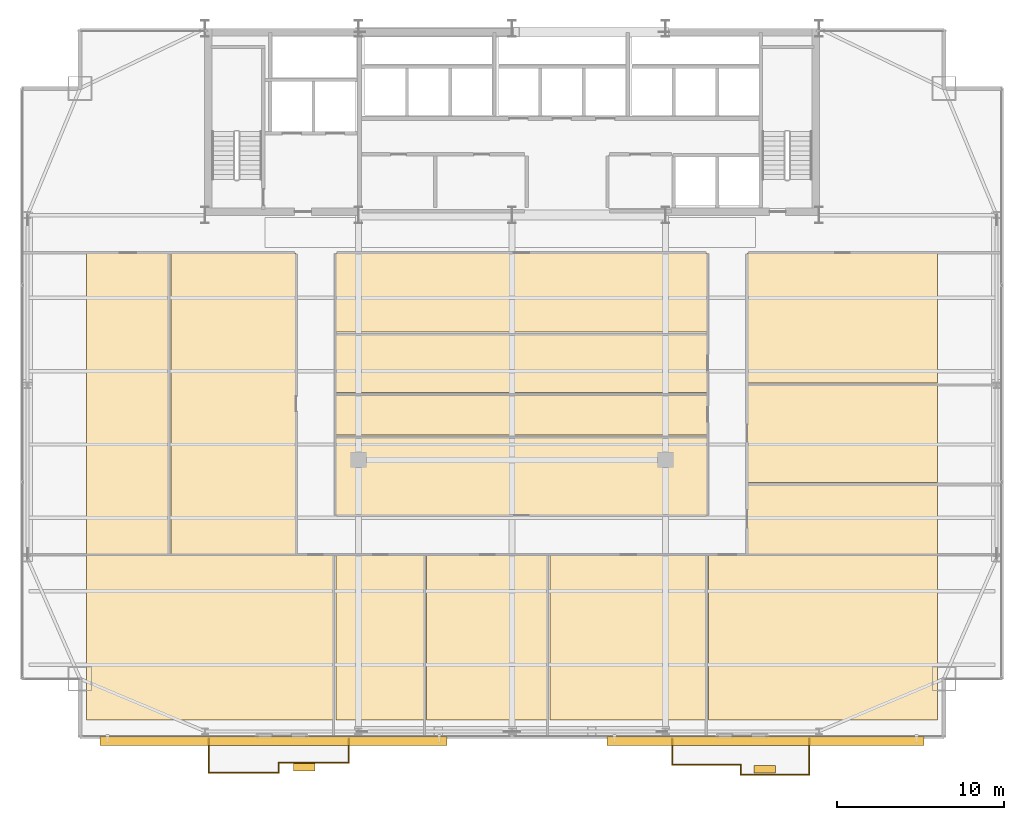
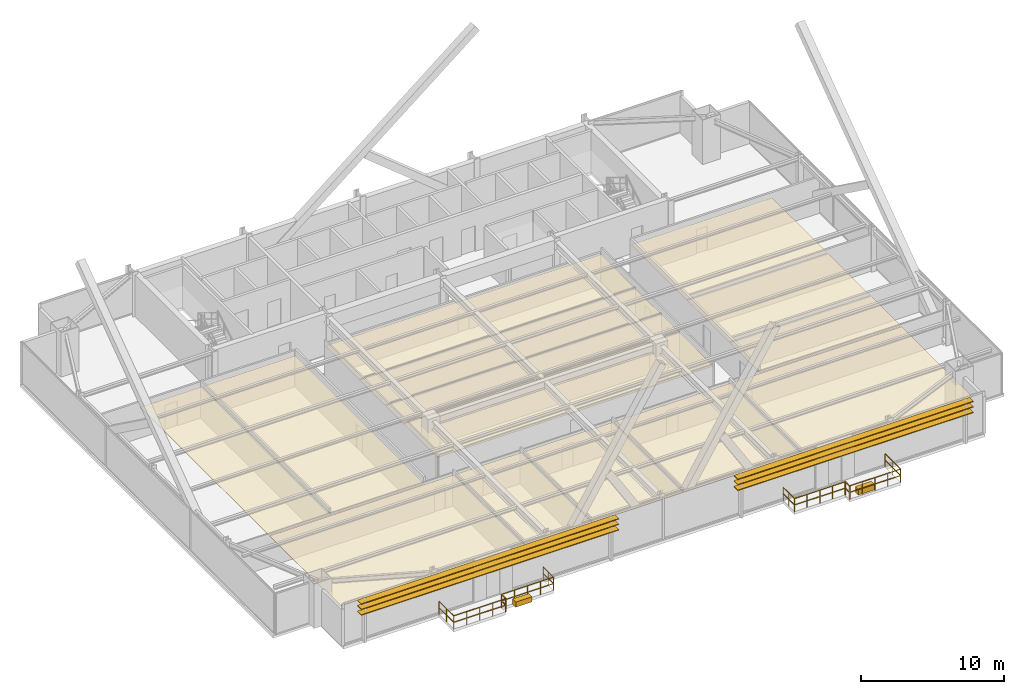
# One storey, part 36 of 37: 16 coverings, 10 railings, 6 shading devices.
"""IFC4 building model written with IfcOpenShell, lengths in metres."""

from ifc_helpers import new_model, si_unit, direction, frame, origin, origin_2d, place, context, subcontext, project, spatial, polyline, rectangle, outline, extrude, source, transform, mapped, material, layer, layer_set, type_object, type_shapes, element, save


model = new_model("IFC4")

# Units and contexts
model_context = context("Model", 3, precision=1e-05, world=origin(), true_north=direction((0.0, 1.0)))
body_context = subcontext(model_context, "Body", "Model", "MODEL_VIEW")
ifc_project = project(units=[si_unit("LENGTHUNIT", "METRE"), si_unit("AREAUNIT", "SQUARE_METRE"), si_unit("VOLUMEUNIT", "CUBIC_METRE"), si_unit("PLANEANGLEUNIT", "RADIAN"), si_unit("MASSUNIT", "GRAM", prefix="KILO")], contexts=[model_context])

# Site, building, storey
site_placement = place(None, origin())
site = spatial("IfcSite", under=ifc_project, at=site_placement, CompositionType="ELEMENT")
building_placement = place(site_placement, origin())
building = spatial("IfcBuilding", under=site, at=building_placement, Name="Varnel Quay Broadcast Tower", CompositionType="ELEMENT")
storey_placement = place(building_placement, frame((0.0, 0.0, 103.0)))
storey = spatial("IfcBuildingStorey", under=building, at=storey_placement, Name="L24", CompositionType="ELEMENT", Elevation=103.0)

# Coverings
ifc_material_1 = material(Name="Micro-Perforated Acoustic Ceiling Tile")
ifc_layer_1 = layer(ifc_material_1, 0.0400390625, Name="Micro-Perforated Acoustic Ceiling Tile")
ifc_layer_set_1 = layer_set([ifc_layer_1], Name="Micro-Perforated Acoustic Ceiling Tile")
covering_type_1 = type_object("IfcCoveringType", Name="Cov_AcousticCeiling", PredefinedType="CEILING", material=ifc_layer_set_1)
covering_1_placement = place(storey_placement, frame((0.0, 0.0, 2.580078125)))
element("IfcCovering", 1, at=covering_1_placement, inside=storey, type_object=covering_type_1, Name="L24 Media Tape Archive Store 1 Acoustic Ceiling", PredefinedType="CEILING", context=body_context, shape_type="SweptSolid", body=[
    extrude(outline(polyline([(8.485107421875, 5.324951171875), (23.364990234375, 5.324951171875), (23.364990234375, 15.205078125), (8.485107421875, 15.205078125), (8.485107421875, 5.324951171875)])), origin(), (0.0, 0.0, 1.0), 0.0400390625),
])
covering_2_placement = place(storey_placement, frame((0.0, 0.0, 2.580078125)))
element("IfcCovering", 2, at=covering_2_placement, inside=storey, type_object=covering_type_1, Name="L24 Lens & Rigging Store 2 Acoustic Ceiling", PredefinedType="CEILING", context=body_context, shape_type="SweptSolid", body=[
    extrude(outline(polyline([(23.43505859375, 5.324951171875), (28.81494140625, 5.324951171875), (28.81494140625, 15.205078125), (23.43505859375, 15.205078125), (23.43505859375, 5.324951171875)])), origin(), (0.0, 0.0, 1.0), 0.0400390625),
])
covering_3_placement = place(storey_placement, frame((0.0, 0.0, 2.580078125)))
element("IfcCovering", 3, at=covering_3_placement, inside=storey, type_object=covering_type_1, Name="L24 Ingest Vault Store 3 Acoustic Ceiling", PredefinedType="CEILING", context=body_context, shape_type="SweptSolid", body=[
    extrude(outline(polyline([(28.885009765625, 5.324951171875), (36.195068359375, 5.324951171875), (36.195068359375, 15.205078125), (28.885009765625, 15.205078125), (28.885009765625, 5.324951171875)])), origin(), (0.0, 0.0, 1.0), 0.0400390625),
])
covering_4_placement = place(storey_placement, frame((0.0, 0.0, 2.580078125)))
element("IfcCovering", 4, at=covering_4_placement, inside=storey, type_object=covering_type_1, Name="L24 Color Timing Suite 4 Acoustic Ceiling", PredefinedType="CEILING", context=body_context, shape_type="SweptSolid", body=[
    extrude(outline(polyline([(36.264892578125, 5.324951171875), (45.705078125, 5.324951171875), (45.705078125, 15.205078125), (36.264892578125, 15.205078125), (36.264892578125, 5.324951171875)])), origin(), (0.0, 0.0, 1.0), 0.0400390625),
])
covering_5_placement = place(storey_placement, frame((0.0, 0.0, 2.580078125)))
element("IfcCovering", 5, at=covering_5_placement, inside=storey, type_object=covering_type_1, Name="L24 Screening Meeting Room 5 Acoustic Ceiling", PredefinedType="CEILING", context=body_context, shape_type="SweptSolid", body=[
    extrude(outline(polyline([(45.77490234375, 5.324951171875), (59.514892578125, 5.324951171875), (59.514892578125, 15.205078125), (45.77490234375, 15.205078125), (45.77490234375, 5.324951171875)])), origin(), (0.0, 0.0, 1.0), 0.0400390625),
])
covering_6_placement = place(storey_placement, frame((0.0, 0.0, 2.580078125)))
element("IfcCovering", 6, at=covering_6_placement, inside=storey, type_object=covering_type_1, Name="L24 Producer Lounge 6 Acoustic Ceiling", PredefinedType="CEILING", context=body_context, shape_type="SweptSolid", body=[
    extrude(outline(polyline([(8.485107421875, 15.27490234375), (13.47509765625, 15.27490234375), (13.47509765625, 33.31494140625), (8.485107421875, 33.31494140625), (8.485107421875, 15.27490234375)])), origin(), (0.0, 0.0, 1.0), 0.0400390625),
])
covering_7_placement = place(storey_placement, frame((0.0, 0.0, 2.580078125)))
element("IfcCovering", 7, at=covering_7_placement, inside=storey, type_object=covering_type_1, Name="L24 Tea Kitchen 7 Acoustic Ceiling", PredefinedType="CEILING", context=body_context, shape_type="SweptSolid", body=[
    extrude(outline(polyline([(13.544921875, 15.27490234375), (21.014892578125, 15.27490234375), (21.014892578125, 33.31494140625), (13.544921875, 33.31494140625), (13.544921875, 15.27490234375)])), origin(), (0.0, 0.0, 1.0), 0.0400390625),
])
covering_8_placement = place(storey_placement, frame((0.0, 0.0, 2.580078125)))
element("IfcCovering", 8, at=covering_8_placement, inside=storey, type_object=covering_type_1, Name="L24 Media Tape Archive Store 8 Acoustic Ceiling", PredefinedType="CEILING", context=body_context, shape_type="SweptSolid", body=[
    extrude(outline(polyline([(23.43505859375, 17.625), (45.705078125, 17.625), (45.705078125, 22.344970703125), (23.43505859375, 22.344970703125), (23.43505859375, 17.625)])), origin(), (0.0, 0.0, 1.0), 0.0400390625),
])
covering_9_placement = place(storey_placement, frame((0.0, 0.0, 2.580078125)))
element("IfcCovering", 9, at=covering_9_placement, inside=storey, type_object=covering_type_1, Name="L24 Lens & Rigging Store 9 Acoustic Ceiling", PredefinedType="CEILING", context=body_context, shape_type="SweptSolid", body=[
    extrude(outline(polyline([(23.43505859375, 22.4150390625), (45.705078125, 22.4150390625), (45.705078125, 24.89501953125), (23.43505859375, 24.89501953125), (23.43505859375, 22.4150390625)])), origin(), (0.0, 0.0, 1.0), 0.0400390625),
])
covering_10_placement = place(storey_placement, frame((0.0, 0.0, 2.580078125)))
element("IfcCovering", 10, at=covering_10_placement, inside=storey, type_object=covering_type_1, Name="L24 Ingest Vault Store 10 Acoustic Ceiling", PredefinedType="CEILING", context=body_context, shape_type="SweptSolid", body=[
    extrude(outline(polyline([(23.43505859375, 24.965087890625), (45.705078125, 24.965087890625), (45.705078125, 28.514892578125), (23.43505859375, 28.514892578125), (23.43505859375, 24.965087890625)])), origin(), (0.0, 0.0, 1.0), 0.0400390625),
])
covering_11_placement = place(storey_placement, frame((0.0, 0.0, 2.580078125)))
element("IfcCovering", 11, at=covering_11_placement, inside=storey, type_object=covering_type_1, Name="L24 Color Timing Suite 11 Acoustic Ceiling", PredefinedType="CEILING", context=body_context, shape_type="SweptSolid", body=[
    extrude(outline(polyline([(23.43505859375, 28.5849609375), (45.705078125, 28.5849609375), (45.705078125, 33.31494140625), (23.43505859375, 33.31494140625), (23.43505859375, 28.5849609375)])), origin(), (0.0, 0.0, 1.0), 0.0400390625),
])
covering_12_placement = place(storey_placement, frame((0.0, 0.0, 2.580078125)))
element("IfcCovering", 12, at=covering_12_placement, inside=storey, type_object=covering_type_1, Name="L24 Screening Meeting Room 12 Acoustic Ceiling", PredefinedType="CEILING", context=body_context, shape_type="SweptSolid", body=[
    extrude(outline(polyline([(48.125, 15.27490234375), (59.514892578125, 15.27490234375), (59.514892578125, 19.5048828125), (48.125, 19.5048828125), (48.125, 15.27490234375)])), origin(), (0.0, 0.0, 1.0), 0.0400390625),
])
covering_13_placement = place(storey_placement, frame((0.0, 0.0, 2.580078125)))
element("IfcCovering", 13, at=covering_13_placement, inside=storey, type_object=covering_type_1, Name="L24 Producer Lounge 13 Acoustic Ceiling", PredefinedType="CEILING", context=body_context, shape_type="SweptSolid", body=[
    extrude(outline(polyline([(48.125, 19.574951171875), (59.514892578125, 19.574951171875), (59.514892578125, 25.47509765625), (48.125, 25.47509765625), (48.125, 19.574951171875)])), origin(), (0.0, 0.0, 1.0), 0.0400390625),
])
covering_14_placement = place(storey_placement, frame((0.0, 0.0, 2.580078125)))
element("IfcCovering", 14, at=covering_14_placement, inside=storey, type_object=covering_type_1, Name="L24 Tea Kitchen 14 Acoustic Ceiling", PredefinedType="CEILING", context=body_context, shape_type="SweptSolid", body=[
    extrude(outline(polyline([(48.125, 25.544921875), (59.514892578125, 25.544921875), (59.514892578125, 33.31494140625), (48.125, 33.31494140625), (48.125, 25.544921875)])), origin(), (0.0, 0.0, 1.0), 0.0400390625),
])

# Railings
ifc_material_2 = material(Name="Anodised Bronze Aluminium 6063-T6", Category="aluminium")
railing_type = type_object("IfcRailingType", Name="Rail_Balustrade1150", PredefinedType="BALUSTRADE", material=ifc_material_2)
railing_1_placement = place(storey_placement, frame((15.820068359375, 2.159912109375, 0.0)))
element("IfcRailing", 15, at=railing_1_placement, inside=storey, type_object=railing_type, Name="L24 Terrace 1 Guard 1", PredefinedType="BALUSTRADE", context=body_context, shape_type="SweptSolid", body=[
    extrude(rectangle(XDim=0.048095703125, YDim=0.048095703125, at=origin_2d()), frame((0.0, 0.0, 1.1259765625), z_axis=(1.0, 0.0, 0.0), x_axis=(0.0, 1.0, 0.0)), (0.0, 0.0, 1.0), 4.199951171875),
    extrude(rectangle(XDim=0.048095703125, YDim=0.048095703125, at=origin_2d()), frame((0.0, 0.0, 0.574951171875), z_axis=(1.0, 0.0, 0.0), x_axis=(0.0, 1.0, 0.0)), (0.0, 0.0, 1.0), 4.199951171875),
    extrude(rectangle(XDim=0.0419921875, YDim=0.0419921875, at=origin_2d()), origin(), (0.0, 0.0, 1.0), 1.101806640625),
    extrude(rectangle(XDim=0.0419921875, YDim=0.0419921875, at=origin_2d()), frame((1.050048828125, 0.0, 0.0)), (0.0, 0.0, 1.0), 1.101806640625),
    extrude(rectangle(XDim=0.0419921875, YDim=0.0419921875, at=origin_2d()), frame((2.10009765625, 0.0, 0.0)), (0.0, 0.0, 1.0), 1.101806640625),
    extrude(rectangle(XDim=0.0419921875, YDim=0.0419921875, at=origin_2d()), frame((3.14990234375, 0.0, 0.0)), (0.0, 0.0, 1.0), 1.101806640625),
    extrude(rectangle(XDim=0.0419921875, YDim=0.0419921875, at=origin_2d()), frame((4.199951171875, 0.0, 0.0)), (0.0, 0.0, 1.0), 1.101806640625),
])
railing_2_placement = place(storey_placement, frame((20.02001953125, 2.159912109375, 0.0)))
element("IfcRailing", 16, at=railing_2_placement, inside=storey, type_object=railing_type, Name="L24 Terrace 1 Guard 2", PredefinedType="BALUSTRADE", context=body_context, shape_type="SweptSolid", body=[
    extrude(rectangle(XDim=0.048095703125, YDim=0.048095703125, at=origin_2d()), frame((0.0, 0.0, 1.1259765625), z_axis=(0.0, 1.0, 0.0), x_axis=(-1.0, 0.0, 0.0)), (0.0, 0.0, 1.0), 0.60009765625),
    extrude(rectangle(XDim=0.048095703125, YDim=0.048095703125, at=origin_2d()), frame((0.0, 0.0, 0.574951171875), z_axis=(0.0, 1.0, 0.0), x_axis=(-1.0, 0.0, 0.0)), (0.0, 0.0, 1.0), 0.60009765625),
    extrude(rectangle(XDim=0.0419921875, YDim=0.0419921875, at=origin_2d()), origin(), (0.0, 0.0, 1.0), 1.101806640625),
    extrude(rectangle(XDim=0.0419921875, YDim=0.0419921875, at=origin_2d()), frame((0.0, 0.60009765625, 0.0)), (0.0, 0.0, 1.0), 1.101806640625),
])
railing_3_placement = place(storey_placement, frame((20.02001953125, 2.760009765625, 0.0)))
element("IfcRailing", 17, at=railing_3_placement, inside=storey, type_object=railing_type, Name="L24 Terrace 1 Guard 3", PredefinedType="BALUSTRADE", context=body_context, shape_type="SweptSolid", body=[
    extrude(rectangle(XDim=0.048095703125, YDim=0.048095703125, at=origin_2d()), frame((0.0, 0.0, 1.1259765625), z_axis=(1.0, 0.0, 0.0), x_axis=(0.0, 1.0, 0.0)), (0.0, 0.0, 1.0), 4.199951171875),
    extrude(rectangle(XDim=0.048095703125, YDim=0.048095703125, at=origin_2d()), frame((0.0, 0.0, 0.574951171875), z_axis=(1.0, 0.0, 0.0), x_axis=(0.0, 1.0, 0.0)), (0.0, 0.0, 1.0), 4.199951171875),
    extrude(rectangle(XDim=0.0419921875, YDim=0.0419921875, at=origin_2d()), origin(), (0.0, 0.0, 1.0), 1.101806640625),
    extrude(rectangle(XDim=0.0419921875, YDim=0.0419921875, at=origin_2d()), frame((1.050048828125, 0.0, 0.0)), (0.0, 0.0, 1.0), 1.101806640625),
    extrude(rectangle(XDim=0.0419921875, YDim=0.0419921875, at=origin_2d()), frame((2.10009765625, 0.0, 0.0)), (0.0, 0.0, 1.0), 1.101806640625),
    extrude(rectangle(XDim=0.0419921875, YDim=0.0419921875, at=origin_2d()), frame((3.14990234375, 0.0, 0.0)), (0.0, 0.0, 1.0), 1.101806640625),
    extrude(rectangle(XDim=0.0419921875, YDim=0.0419921875, at=origin_2d()), frame((4.199951171875, 0.0, 0.0)), (0.0, 0.0, 1.0), 1.101806640625),
])
railing_4_placement = place(storey_placement, frame((24.219970703125, 2.760009765625, 0.0)))
element("IfcRailing", 18, at=railing_4_placement, inside=storey, type_object=railing_type, Name="L24 Terrace 1 Guard 4", PredefinedType="BALUSTRADE", context=body_context, shape_type="SweptSolid", body=[
    extrude(rectangle(XDim=0.048095703125, YDim=0.048095703125, at=origin_2d()), frame((0.0, 0.0, 1.1259765625), z_axis=(0.0, 1.0, 0.0), x_axis=(-1.0, 0.0, 0.0)), (0.0, 0.0, 1.0), 1.43994140625),
    extrude(rectangle(XDim=0.048095703125, YDim=0.048095703125, at=origin_2d()), frame((0.0, 0.0, 0.574951171875), z_axis=(0.0, 1.0, 0.0), x_axis=(-1.0, 0.0, 0.0)), (0.0, 0.0, 1.0), 1.43994140625),
    extrude(rectangle(XDim=0.0419921875, YDim=0.0419921875, at=origin_2d()), origin(), (0.0, 0.0, 1.0), 1.101806640625),
    extrude(rectangle(XDim=0.0419921875, YDim=0.0419921875, at=origin_2d()), frame((0.0, 0.719970703125, 0.0)), (0.0, 0.0, 1.0), 1.101806640625),
    extrude(rectangle(XDim=0.0419921875, YDim=0.0419921875, at=origin_2d()), frame((0.0, 1.43994140625, 0.0)), (0.0, 0.0, 1.0), 1.101806640625),
])
railing_5_placement = place(storey_placement, frame((15.820068359375, 4.199951171875, 0.0)))
element("IfcRailing", 19, at=railing_5_placement, inside=storey, type_object=railing_type, Name="L24 Terrace 1 Guard 6", PredefinedType="BALUSTRADE", context=body_context, shape_type="SweptSolid", body=[
    extrude(rectangle(XDim=0.048095703125, YDim=0.048095703125, at=origin_2d()), frame((0.0, 0.0, 1.1259765625), z_axis=(0.0, -1.0, 0.0), x_axis=(1.0, 0.0, 0.0)), (0.0, 0.0, 1.0), 2.0400390625),
    extrude(rectangle(XDim=0.048095703125, YDim=0.048095703125, at=origin_2d()), frame((0.0, 0.0, 0.574951171875), z_axis=(0.0, -1.0, 0.0), x_axis=(1.0, 0.0, 0.0)), (0.0, 0.0, 1.0), 2.0400390625),
    extrude(rectangle(XDim=0.0419921875, YDim=0.0419921875, at=origin_2d()), origin(), (0.0, 0.0, 1.0), 1.101806640625),
    extrude(rectangle(XDim=0.0419921875, YDim=0.0419921875, at=origin_2d()), frame((0.0, -1.02001953125, 0.0)), (0.0, 0.0, 1.0), 1.101806640625),
    extrude(rectangle(XDim=0.0419921875, YDim=0.0419921875, at=origin_2d()), frame((0.0, -2.0400390625, 0.0)), (0.0, 0.0, 1.0), 1.101806640625),
])
railing_6_placement = place(storey_placement, frame((43.60009765625, 2.639892578125, 0.0)))
element("IfcRailing", 20, at=railing_6_placement, inside=storey, type_object=railing_type, Name="L24 Terrace 2 Guard 1", PredefinedType="BALUSTRADE", context=body_context, shape_type="SweptSolid", body=[
    extrude(rectangle(XDim=0.048095703125, YDim=0.048095703125, at=origin_2d()), frame((0.0, 0.0, 1.1259765625), z_axis=(1.0, 0.0, 0.0), x_axis=(0.0, 1.0, 0.0)), (0.0, 0.0, 1.0), 4.10986328125),
    extrude(rectangle(XDim=0.048095703125, YDim=0.048095703125, at=origin_2d()), frame((0.0, 0.0, 0.574951171875), z_axis=(1.0, 0.0, 0.0), x_axis=(0.0, 1.0, 0.0)), (0.0, 0.0, 1.0), 4.10986328125),
    extrude(rectangle(XDim=0.0419921875, YDim=0.0419921875, at=origin_2d()), origin(), (0.0, 0.0, 1.0), 1.101806640625),
    extrude(rectangle(XDim=0.0419921875, YDim=0.0419921875, at=origin_2d()), frame((1.02734375, 0.0, 0.0)), (0.0, 0.0, 1.0), 1.101806640625),
    extrude(rectangle(XDim=0.0419921875, YDim=0.0419921875, at=origin_2d()), frame((2.054931640625, 0.0, 0.0)), (0.0, 0.0, 1.0), 1.101806640625),
    extrude(rectangle(XDim=0.0419921875, YDim=0.0419921875, at=origin_2d()), frame((3.08251953125, 0.0, 0.0)), (0.0, 0.0, 1.0), 1.101806640625),
    extrude(rectangle(XDim=0.0419921875, YDim=0.0419921875, at=origin_2d()), frame((4.10986328125, 0.0, 0.0)), (0.0, 0.0, 1.0), 1.101806640625),
])
railing_7_placement = place(storey_placement, frame((47.7099609375, 2.639892578125, 0.0)))
element("IfcRailing", 21, at=railing_7_placement, inside=storey, type_object=railing_type, Name="L24 Terrace 2 Guard 2", PredefinedType="BALUSTRADE", context=body_context, shape_type="SweptSolid", body=[
    extrude(rectangle(XDim=0.048095703125, YDim=0.048095703125, at=origin_2d()), frame((0.0, 0.0, 1.1259765625), z_axis=(0.0, -1.0, 0.0), x_axis=(1.0, 0.0, 0.0)), (0.0, 0.0, 1.0), 0.599853515625),
    extrude(rectangle(XDim=0.048095703125, YDim=0.048095703125, at=origin_2d()), frame((0.0, 0.0, 0.574951171875), z_axis=(0.0, -1.0, 0.0), x_axis=(1.0, 0.0, 0.0)), (0.0, 0.0, 1.0), 0.599853515625),
    extrude(rectangle(XDim=0.0419921875, YDim=0.0419921875, at=origin_2d()), origin(), (0.0, 0.0, 1.0), 1.101806640625),
    extrude(rectangle(XDim=0.0419921875, YDim=0.0419921875, at=origin_2d()), frame((0.0, -0.599853515625, 0.0)), (0.0, 0.0, 1.0), 1.101806640625),
])
railing_8_placement = place(storey_placement, frame((47.7099609375, 2.0400390625, 0.0)))
element("IfcRailing", 22, at=railing_8_placement, inside=storey, type_object=railing_type, Name="L24 Terrace 2 Guard 3", PredefinedType="BALUSTRADE", context=body_context, shape_type="SweptSolid", body=[
    extrude(rectangle(XDim=0.048095703125, YDim=0.048095703125, at=origin_2d()), frame((0.0, 0.0, 1.1259765625), z_axis=(1.0, 0.0, 0.0), x_axis=(0.0, 1.0, 0.0)), (0.0, 0.0, 1.0), 4.110107421875),
    extrude(rectangle(XDim=0.048095703125, YDim=0.048095703125, at=origin_2d()), frame((0.0, 0.0, 0.574951171875), z_axis=(1.0, 0.0, 0.0), x_axis=(0.0, 1.0, 0.0)), (0.0, 0.0, 1.0), 4.110107421875),
    extrude(rectangle(XDim=0.0419921875, YDim=0.0419921875, at=origin_2d()), origin(), (0.0, 0.0, 1.0), 1.101806640625),
    extrude(rectangle(XDim=0.0419921875, YDim=0.0419921875, at=origin_2d()), frame((1.027587890625, 0.0, 0.0)), (0.0, 0.0, 1.0), 1.101806640625),
    extrude(rectangle(XDim=0.0419921875, YDim=0.0419921875, at=origin_2d()), frame((2.05517578125, 0.0, 0.0)), (0.0, 0.0, 1.0), 1.101806640625),
    extrude(rectangle(XDim=0.0419921875, YDim=0.0419921875, at=origin_2d()), frame((3.08251953125, 0.0, 0.0)), (0.0, 0.0, 1.0), 1.101806640625),
    extrude(rectangle(XDim=0.0419921875, YDim=0.0419921875, at=origin_2d()), frame((4.110107421875, 0.0, 0.0)), (0.0, 0.0, 1.0), 1.101806640625),
])
railing_9_placement = place(storey_placement, frame((51.820068359375, 2.0400390625, 0.0)))
element("IfcRailing", 23, at=railing_9_placement, inside=storey, type_object=railing_type, Name="L24 Terrace 2 Guard 4", PredefinedType="BALUSTRADE", context=body_context, shape_type="SweptSolid", body=[
    extrude(rectangle(XDim=0.048095703125, YDim=0.048095703125, at=origin_2d()), frame((0.0, 0.0, 1.1259765625), z_axis=(0.0, 1.0, 0.0), x_axis=(-1.0, 0.0, 0.0)), (0.0, 0.0, 1.0), 2.159912109375),
    extrude(rectangle(XDim=0.048095703125, YDim=0.048095703125, at=origin_2d()), frame((0.0, 0.0, 0.574951171875), z_axis=(0.0, 1.0, 0.0), x_axis=(-1.0, 0.0, 0.0)), (0.0, 0.0, 1.0), 2.159912109375),
    extrude(rectangle(XDim=0.0419921875, YDim=0.0419921875, at=origin_2d()), origin(), (0.0, 0.0, 1.0), 1.101806640625),
    extrude(rectangle(XDim=0.0419921875, YDim=0.0419921875, at=origin_2d()), frame((0.0, 1.080078125, 0.0)), (0.0, 0.0, 1.0), 1.101806640625),
    extrude(rectangle(XDim=0.0419921875, YDim=0.0419921875, at=origin_2d()), frame((0.0, 2.159912109375, 0.0)), (0.0, 0.0, 1.0), 1.101806640625),
])
railing_10_placement = place(storey_placement, frame((43.60009765625, 4.199951171875, 0.0)))
element("IfcRailing", 24, at=railing_10_placement, inside=storey, type_object=railing_type, Name="L24 Terrace 2 Guard 6", PredefinedType="BALUSTRADE", context=body_context, shape_type="SweptSolid", body=[
    extrude(rectangle(XDim=0.048095703125, YDim=0.048095703125, at=origin_2d()), frame((0.0, 0.0, 1.1259765625), z_axis=(0.0, -1.0, 0.0), x_axis=(1.0, 0.0, 0.0)), (0.0, 0.0, 1.0), 1.56005859375),
    extrude(rectangle(XDim=0.048095703125, YDim=0.048095703125, at=origin_2d()), frame((0.0, 0.0, 0.574951171875), z_axis=(0.0, -1.0, 0.0), x_axis=(1.0, 0.0, 0.0)), (0.0, 0.0, 1.0), 1.56005859375),
    extrude(rectangle(XDim=0.0419921875, YDim=0.0419921875, at=origin_2d()), origin(), (0.0, 0.0, 1.0), 1.101806640625),
    extrude(rectangle(XDim=0.0419921875, YDim=0.0419921875, at=origin_2d()), frame((0.0, -0.780029296875, 0.0)), (0.0, 0.0, 1.0), 1.101806640625),
    extrude(rectangle(XDim=0.0419921875, YDim=0.0419921875, at=origin_2d()), frame((0.0, -1.56005859375, 0.0)), (0.0, 0.0, 1.0), 1.101806640625),
])

# Coverings
ifc_material_3 = material(Name="Bronze-Terracotta Extruded Ceramic Blade", Category="masonry")
ifc_layer_2 = layer(ifc_material_3, 0.449951171875, Name="Bronze-Terracotta Extruded Ceramic Blade")
ifc_layer_set_2 = layer_set([ifc_layer_2], Name="Bronze-Terracotta Extruded Ceramic Blade")
covering_type_2 = type_object("IfcCoveringType", Name="Cov_BronzePlanter", PredefinedType="CLADDING", material=ifc_layer_set_2)
shared_shape_1 = source(origin(), body_context, "Body", "SweptSolid", [
    extrude(rectangle(XDim=1.300048828125, YDim=0.449951171875, at=origin_2d()), origin(), (0.0, 0.0, 1.0), 0.449951171875),
])
type_shapes(covering_type_2, [shared_shape_1])
for number, where, z_axis, x_axis, name in (
    (25, (21.550048828125, 2.510009765625, 0.0), (0.0, 0.0, 1.0), (1.0, 0.0, 0.0), "L24 Terrace 1 Bronze Planter"),
    (26, (49.14990234375, 2.389892578125, 0.0), (0.0, 0.0, 1.0), (1.0, 0.0, 0.0), "L24 Terrace 2 Bronze Planter"),
):
    element("IfcCovering", number, at=place(storey_placement, frame(where, z_axis=z_axis, x_axis=x_axis)), inside=storey, type_object=covering_type_2, Name=name, PredefinedType="CLADDING", context=body_context, shape_type="MappedRepresentation", body=[
        mapped(shared_shape_1, transform((0.0, 0.0, 0.0), x_axis=(1.0, 0.0, 0.0), y_axis=(0.0, 1.0, 0.0), z_axis=(0.0, 0.0, 1.0), scale=1.0)),
    ])

# Shading devices
ifc_layer_3 = layer(ifc_material_3, 0.06494140625, Name="Bronze-Terracotta Extruded Ceramic Blade")
ifc_layer_set_3 = layer_set([ifc_layer_3], Name="Bronze-Terracotta Extruded Ceramic Blade")
shading_device_type = type_object("IfcShadingDeviceType", Name="Shade_LouvreBlade550", PredefinedType="JALOUSIE", material=ifc_layer_set_3)
shared_shape_2 = source(origin(), body_context, "Body", "SweptSolid", [
    extrude(rectangle(XDim=20.794921875, YDim=0.550048828125, at=origin_2d()), origin(), (0.0, 0.0, 1.0), 0.06494140625),
])
for number, where, z_axis, x_axis, name in (
    (27, (19.697021484375, 4.06005859375, 2.447509765625), (0.0, 0.0, 1.0), (1.0, 0.0, 0.0), "L24 Lobe 1 Horizontal Louvre Blade 1"),
    (28, (19.697021484375, 4.06005859375, 2.927490234375), (0.0, 0.0, 1.0), (1.0, 0.0, 0.0), "L24 Lobe 1 Horizontal Louvre Blade 2"),
    (29, (19.697021484375, 4.06005859375, 3.387451171875), (0.0, 0.0, 1.0), (1.0, 0.0, 0.0), "L24 Lobe 1 Horizontal Louvre Blade 3"),
):
    element("IfcShadingDevice", number, at=place(storey_placement, frame(where, z_axis=z_axis, x_axis=x_axis)), inside=storey, type_object=shading_device_type, Name=name, PredefinedType="JALOUSIE", context=body_context, shape_type="MappedRepresentation", body=[
        mapped(shared_shape_2, transform((0.0, 0.0, 0.0), x_axis=(1.0, 0.0, 0.0), y_axis=(0.0, 1.0, 0.0), z_axis=(0.0, 0.0, 1.0), scale=1.0)),
    ])
shared_shape_3 = source(origin(), body_context, "Body", "SweptSolid", [
    extrude(rectangle(XDim=19.0048828125, YDim=0.550048828125, at=origin_2d()), origin(), (0.0, 0.0, 1.0), 0.06494140625),
])
type_shapes(shading_device_type, [shared_shape_2, shared_shape_3])
for number, where, z_axis, x_axis, name in (
    (30, (49.197998046875, 4.06005859375, 2.447509765625), (0.0, 0.0, 1.0), (1.0, 0.0, 0.0), "L24 Lobe 2 Horizontal Louvre Blade 1"),
    (31, (49.197998046875, 4.06005859375, 2.927490234375), (0.0, 0.0, 1.0), (1.0, 0.0, 0.0), "L24 Lobe 2 Horizontal Louvre Blade 2"),
    (32, (49.197998046875, 4.06005859375, 3.387451171875), (0.0, 0.0, 1.0), (1.0, 0.0, 0.0), "L24 Lobe 2 Horizontal Louvre Blade 3"),
):
    element("IfcShadingDevice", number, at=place(storey_placement, frame(where, z_axis=z_axis, x_axis=x_axis)), inside=storey, type_object=shading_device_type, Name=name, PredefinedType="JALOUSIE", context=body_context, shape_type="MappedRepresentation", body=[
        mapped(shared_shape_3, transform((0.0, 0.0, 0.0), x_axis=(1.0, 0.0, 0.0), y_axis=(0.0, 1.0, 0.0), z_axis=(0.0, 0.0, 1.0), scale=1.0)),
    ])

save(model, "model.ifc")
